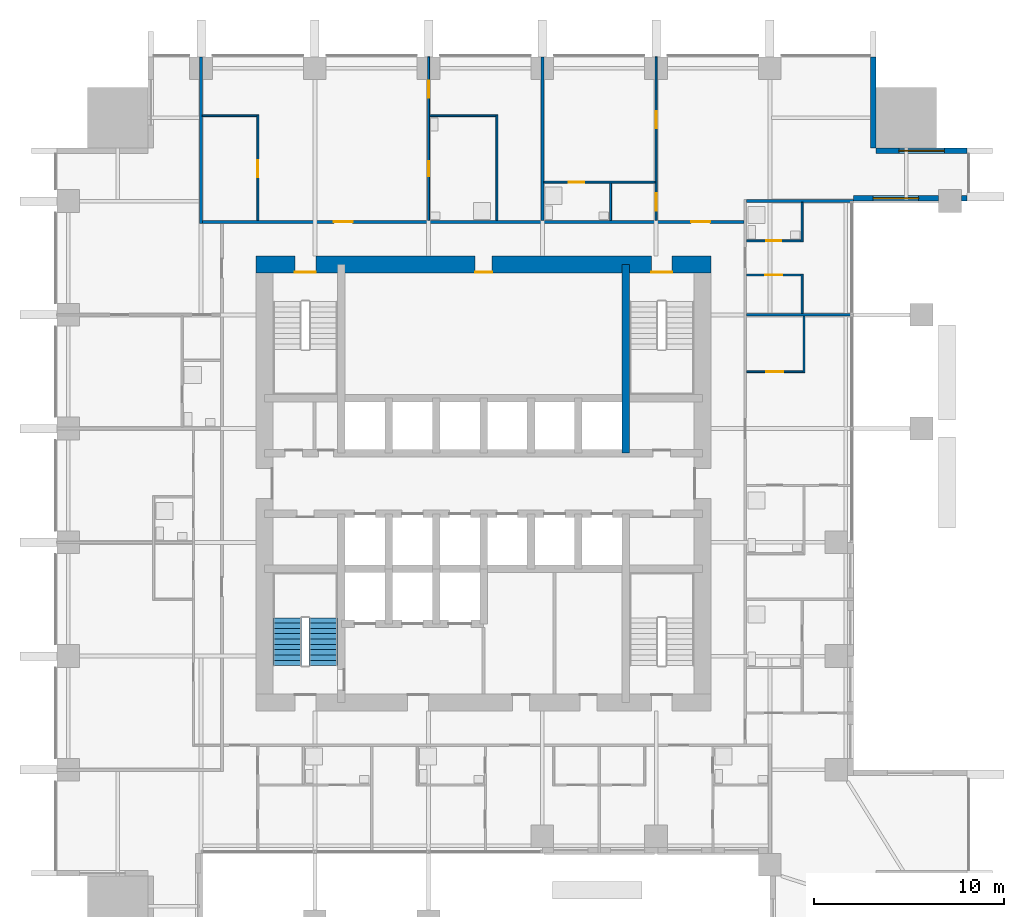
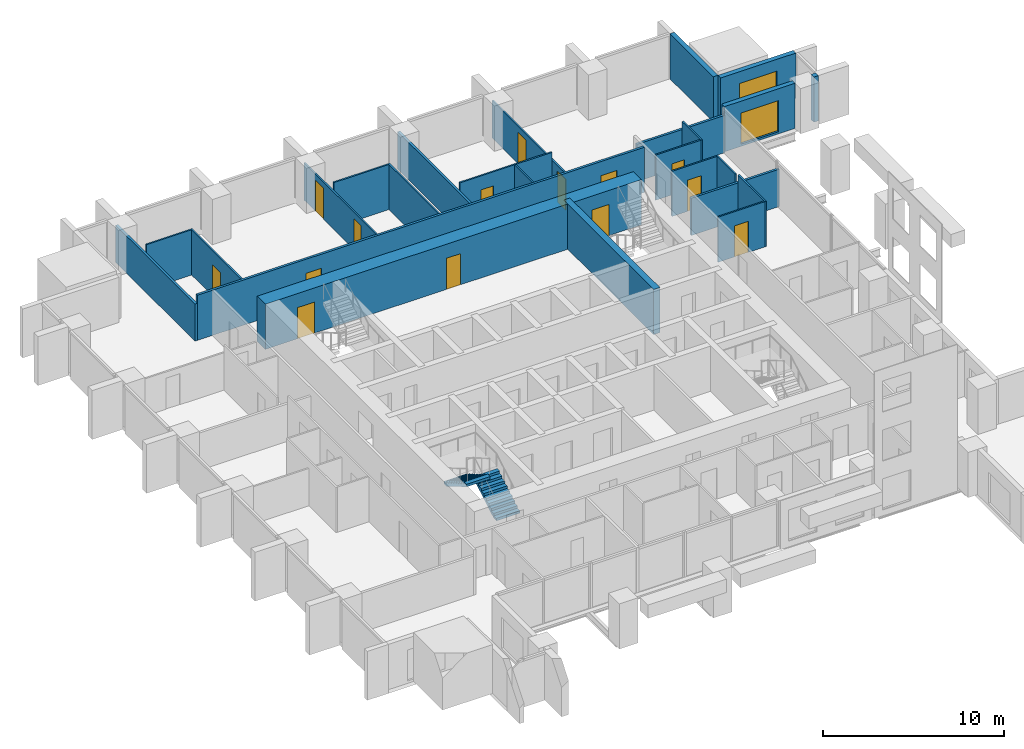
# One storey, part 10 of 13: 25 walls, 14 doors, 2 stair flights, 2 windows, 16 openings, 1 element without a shape of its own.
"""IFC4 building model written with IfcOpenShell, lengths in metres."""

from ifc_helpers import new_model, si_unit, direction, frame, frame_2d, origin, place, context, subcontext, project, spatial, polyline, rectangle, outline, extrude, material, layer, layer_set, type_object, element, fill, aggregate, save


model = new_model("IFC4")

# Units and contexts
model_context = context("Model", 3, precision=1e-05, world=origin(), true_north=direction((0.0, 1.0)))
body_context = subcontext(model_context, "Body", "Model", "MODEL_VIEW")
ifc_project = project(units=[si_unit("LENGTHUNIT", "METRE"), si_unit("AREAUNIT", "SQUARE_METRE"), si_unit("VOLUMEUNIT", "CUBIC_METRE"), si_unit("PLANEANGLEUNIT", "RADIAN"), si_unit("MASSUNIT", "GRAM", prefix="KILO")], contexts=[model_context])

# Site, building, storey
site_placement = place(None, origin())
site = spatial("IfcSite", under=ifc_project, at=site_placement, CompositionType="ELEMENT")
building_placement = place(site_placement, origin())
building = spatial("IfcBuilding", under=site, at=building_placement, Name="Amberfall Residences", CompositionType="ELEMENT")
storey_placement = place(building_placement, frame((0.0, 0.0, 56.5)))
storey = spatial("IfcBuildingStorey", under=building, at=storey_placement, Name="L15", CompositionType="ELEMENT", Elevation=56.5)

# Wall, opening, window
ifc_material_1 = material(Name="Pale stone cladding on insulated backing", Category="masonry")
ifc_layer_1 = layer(ifc_material_1, 0.300048828125)
ifc_layer_set_1 = layer_set([ifc_layer_1], Name="Bronze clad wall 300")
wall_type_1 = type_object("IfcWallType", Name="Bronze clad wall 300", PredefinedType="SOLIDWALL", material=ifc_layer_set_1)
wall_1_placement = place(storey_placement, frame((94.0, 60.550048828125, 0.0), z_axis=(0.0, 0.0, 1.0), x_axis=(1.0, 0.0, 0.0)))
wall_1 = element("IfcWall", 1, at=wall_1_placement, inside=storey, type_object=wall_type_1, Name="External wall L15 E", PredefinedType="SOLIDWALL", context=body_context, shape_type="SweptSolid", body=[
    extrude(rectangle(XDim=4.5, YDim=0.300048828125, at=frame_2d((2.25, 0.0))), origin(), (0.0, 0.0, 1.0), 3.050048828125),
])
opening_1_placement = place(wall_1_placement, frame((1.050048828125, 0.0, 0.14990234375)))
opening_1 = element("IfcOpeningElement", 2, at=opening_1_placement, cuts=wall_1, Name="Opening WN5", PredefinedType="OPENING", context=body_context, shape_type="SweptSolid", body=[
    extrude(rectangle(XDim=2.39990234375, YDim=2.10009765625, at=frame_2d((1.199951171875, 1.050048828125))), frame((0.0, 0.159912109375, 0.0), z_axis=(0.0, -1.0, 0.0), x_axis=(1.0, 0.0, 0.0)), (0.0, 0.0, 1.0), 0.320068359375),
])
ifc_material_2 = material(Name="Bronze aluminium framed glazing", Category="aluminium")
window_type = type_object("IfcWindowType", Name="Glazed opening 2400 x 2100 bronze", PartitioningType="DOUBLE_PANEL_VERTICAL", PredefinedType="WINDOW", material=ifc_material_2)
window_1_placement = place(opening_1_placement, origin())
window_1 = element("IfcWindow", 3, at=window_1_placement, inside=storey, type_object=window_type, Name="Window L15 E", OverallHeight=2.10009765625, OverallWidth=2.39990234375, PartitioningType="DOUBLE_PANEL_VERTICAL", PredefinedType="WINDOW", context=body_context, shape_type="SweptSolid", body=[
    extrude(rectangle(XDim=2.39990234375, YDim=2.10009765625, at=frame_2d((1.199951171875, 1.050048828125))), frame((0.0, 0.030029296875, 0.0), z_axis=(0.0, -1.0, 0.0), x_axis=(1.0, 0.0, 0.0)), (0.0, 0.0, 1.0), 0.06005859375),
])
fill(opening_1, window_1)

# Wall
wall_2_placement = place(storey_placement, frame((99.699951171875, 60.550048828125, 0.0), z_axis=(0.0, 0.0, 1.0), x_axis=(1.0, 0.0, 0.0)))
element("IfcWall", 4, at=wall_2_placement, inside=storey, type_object=wall_type_1, Name="External wall L15 E", PredefinedType="SOLIDWALL", context=body_context, shape_type="SweptSolid", body=[
    extrude(rectangle(XDim=0.300048828125, YDim=0.300048828125, at=frame_2d((0.14990234375, 0.0))), origin(), (0.0, 0.0, 1.0), 3.050048828125),
])

# Wall, opening, window
wall_3_placement = place(storey_placement, frame((100.0, 63.050048828125, 0.0), z_axis=(0.0, 0.0, 1.0), x_axis=(-1.0, 0.0, 0.0)))
wall_3 = element("IfcWall", 5, at=wall_3_placement, inside=storey, type_object=wall_type_1, Name="External wall L15 NE", PredefinedType="SOLIDWALL", context=body_context, shape_type="SweptSolid", body=[
    extrude(rectangle(XDim=4.800048828125, YDim=0.300048828125, at=frame_2d((2.39990234375, 0.0))), origin(), (0.0, 0.0, 1.0), 3.050048828125),
])
opening_2_placement = place(wall_3_placement, frame((1.199951171875, 0.0, 0.14990234375)))
opening_2 = element("IfcOpeningElement", 6, at=opening_2_placement, cuts=wall_3, Name="Opening WN5", PredefinedType="OPENING", context=body_context, shape_type="SweptSolid", body=[
    extrude(rectangle(XDim=2.39990234375, YDim=2.10009765625, at=frame_2d((1.199951171875, 1.050048828125))), frame((0.0, 0.159912109375, 0.0), z_axis=(0.0, -1.0, 0.0), x_axis=(1.0, 0.0, 0.0)), (0.0, 0.0, 1.0), 0.320068359375),
])
window_2_placement = place(opening_2_placement, origin())
window_2 = element("IfcWindow", 7, at=window_2_placement, inside=storey, type_object=window_type, Name="Window L15 NE", OverallHeight=2.10009765625, OverallWidth=2.39990234375, PartitioningType="DOUBLE_PANEL_VERTICAL", PredefinedType="WINDOW", context=body_context, shape_type="SweptSolid", body=[
    extrude(rectangle(XDim=2.39990234375, YDim=2.10009765625, at=frame_2d((1.199951171875, 1.050048828125))), frame((0.0, 0.030029296875, 0.0), z_axis=(0.0, -1.0, 0.0), x_axis=(1.0, 0.0, 0.0)), (0.0, 0.0, 1.0), 0.06005859375),
])
fill(opening_2, window_2)

# Walls
wall_4_placement = place(storey_placement, frame((95.050048828125, 63.199951171875, 0.0), z_axis=(0.0, 0.0, 1.0), x_axis=(0.0, 1.0, 0.0)))
element("IfcWall", 8, at=wall_4_placement, inside=storey, type_object=wall_type_1, Name="External wall L15 NE", PredefinedType="SOLIDWALL", context=body_context, shape_type="SweptSolid", body=[
    extrude(rectangle(XDim=4.800048828125, YDim=0.300048828125, at=frame_2d((2.39990234375, 0.0))), origin(), (0.0, 0.0, 1.0), 3.050048828125),
])
ifc_material_3 = material(Name="Concrete C80", Category="concrete")
ifc_layer_2 = layer(ifc_material_3, 0.39990234375)
ifc_layer_set_2 = layer_set([ifc_layer_2], Name="Core wall 400 C80")
wall_type_2 = type_object("IfcWallType", Name="Core wall 400 C80", PredefinedType="SHEAR", material=ifc_layer_set_2)
wall_5_placement = place(storey_placement, frame((82.0, 47.10009765625, 0.0), z_axis=(0.0, 0.0, 1.0), x_axis=(0.0, 1.0, 0.0)))
element("IfcWall", 9, at=wall_5_placement, inside=storey, type_object=wall_type_2, Name="Core wall RW2 L15 V195N", PredefinedType="SHEAR", context=body_context, shape_type="SweptSolid", body=[
    extrude(rectangle(XDim=9.949951171875, YDim=0.39990234375, at=frame_2d((4.97509765625, 0.0))), origin(), (0.0, 0.0, 1.0), 3.050048828125),
])

# Wall, openings, doors
ifc_layer_3 = layer(ifc_material_3, 0.89990234375)
ifc_layer_set_3 = layer_set([ifc_layer_3], Name="Core wall 900 C80")
wall_type_3 = type_object("IfcWallType", Name="Core wall 900 C80", PredefinedType="SHEAR", material=ifc_layer_set_3)
wall_6_placement = place(storey_placement, frame((62.5, 57.050048828125, 0.0), z_axis=(0.0, 0.0, 1.0), x_axis=(1.0, 0.0, 0.0)))
wall_6 = element("IfcWall", 10, at=wall_6_placement, inside=storey, type_object=wall_type_3, Name="Core wall RW1 L15 ON", PredefinedType="SHEAR", context=body_context, shape_type="SweptSolid", body=[
    extrude(rectangle(XDim=24.0, YDim=0.89990234375, at=frame_2d((12.0, 0.0))), origin(), (0.0, 0.0, 1.0), 3.050048828125),
])
opening_3_placement = place(wall_6_placement, frame((20.85009765625, 0.0, 0.0)))
opening_3 = element("IfcOpeningElement", 11, at=opening_3_placement, cuts=wall_6, Name="Opening SD1", PredefinedType="OPENING", context=body_context, shape_type="SweptSolid", body=[
    extrude(rectangle(XDim=1.10009765625, YDim=2.10009765625, at=frame_2d((0.550048828125, 1.050048828125))), frame((0.0, 0.4599609375, 0.0), z_axis=(0.0, -1.0, 0.0), x_axis=(1.0, 0.0, 0.0)), (0.0, 0.0, 1.0), 0.919921875),
])
opening_4_placement = place(wall_6_placement, frame((2.050048828125, 0.0, 0.0)))
opening_4 = element("IfcOpeningElement", 12, at=opening_4_placement, cuts=wall_6, Name="Opening SD1", PredefinedType="OPENING", context=body_context, shape_type="SweptSolid", body=[
    extrude(rectangle(XDim=1.10009765625, YDim=2.10009765625, at=frame_2d((0.550048828125, 1.050048828125))), frame((0.0, 0.4599609375, 0.0), z_axis=(0.0, -1.0, 0.0), x_axis=(1.0, 0.0, 0.0)), (0.0, 0.0, 1.0), 0.919921875),
])
opening_5_placement = place(wall_6_placement, frame((11.550048828125, 0.0, 0.0)))
opening_5 = element("IfcOpeningElement", 13, at=opening_5_placement, cuts=wall_6, Name="Opening RD1", PredefinedType="OPENING", context=body_context, shape_type="SweptSolid", body=[
    extrude(rectangle(XDim=0.89990234375, YDim=2.10009765625, at=frame_2d((0.449951171875, 1.050048828125))), frame((0.0, 0.4599609375, 0.0), z_axis=(0.0, -1.0, 0.0), x_axis=(1.0, 0.0, 0.0)), (0.0, 0.0, 1.0), 0.919921875),
])
ifc_material_4 = material(Name="Steel fire door set", Category="steel")
door_type_1 = type_object("IfcDoorType", Name="Service room door 900 x 2100", OperationType="SINGLE_SWING_LEFT", PredefinedType="DOOR", material=ifc_material_4)
door_1_placement = place(opening_5_placement, origin())
door_1 = element("IfcDoor", 14, at=door_1_placement, inside=storey, type_object=door_type_1, Name="RD1 L15", OperationType="SINGLE_SWING_RIGHT", OverallHeight=2.10009765625, OverallWidth=0.89990234375, PredefinedType="DOOR", context=body_context, shape_type="SweptSolid", body=[
    extrude(rectangle(XDim=0.89990234375, YDim=2.10009765625, at=frame_2d((0.449951171875, 1.050048828125))), frame((0.0, -0.3876953125, 0.0), z_axis=(0.0, -1.0, 0.0), x_axis=(1.0, 0.0, 0.0)), (0.0, 0.0, 1.0), 0.050048828125),
])
fill(opening_5, door_1)
door_type_2 = type_object("IfcDoorType", Name="Stair door 1100 x 2100", OperationType="SINGLE_SWING_LEFT", PredefinedType="DOOR", material=ifc_material_4)
door_2_placement = place(opening_3_placement, origin())
door_2 = element("IfcDoor", 15, at=door_2_placement, inside=storey, type_object=door_type_2, Name="SD1 L15", OperationType="SINGLE_SWING_RIGHT", OverallHeight=2.10009765625, OverallWidth=1.10009765625, PredefinedType="DOOR", context=body_context, shape_type="SweptSolid", body=[
    extrude(rectangle(XDim=1.10009765625, YDim=2.10009765625, at=frame_2d((0.550048828125, 1.050048828125))), frame((0.0, -0.3876953125, 0.0), z_axis=(0.0, -1.0, 0.0), x_axis=(1.0, 0.0, 0.0)), (0.0, 0.0, 1.0), 0.050048828125),
])
fill(opening_3, door_2)
door_3_placement = place(opening_4_placement, origin())
door_3 = element("IfcDoor", 16, at=door_3_placement, inside=storey, type_object=door_type_2, Name="SD1 L15", OperationType="SINGLE_SWING_LEFT", OverallHeight=2.10009765625, OverallWidth=1.10009765625, PredefinedType="DOOR", context=body_context, shape_type="SweptSolid", body=[
    extrude(rectangle(XDim=1.10009765625, YDim=2.10009765625, at=frame_2d((0.550048828125, 1.050048828125))), frame((0.0, -0.3876953125, 0.0), z_axis=(0.0, -1.0, 0.0), x_axis=(1.0, 0.0, 0.0)), (0.0, 0.0, 1.0), 0.050048828125),
])
fill(opening_4, door_3)

# Wall, opening, door
ifc_material_5 = material(Name="Gypsum board on metal stud")
ifc_layer_4 = layer(ifc_material_5, 0.10009765625)
ifc_layer_set_4 = layer_set([ifc_layer_4], Name="Flat partition 100")
wall_type_4 = type_object("IfcWallType", Name="Flat partition 100", PredefinedType="PARTITIONING", material=ifc_layer_set_4)
wall_7_placement = place(storey_placement, frame((62.60009765625, 59.375, 0.0), z_axis=(0.0, 0.0, 1.0), x_axis=(0.0, 1.0, 0.0)))
wall_7 = element("IfcWall", 17, at=wall_7_placement, inside=storey, type_object=wall_type_4, Name="Partition 005", PredefinedType="PARTITIONING", context=body_context, shape_type="SweptSolid", body=[
    extrude(rectangle(XDim=5.574951171875, YDim=0.10009765625, at=frame_2d((2.78759765625, 0.0))), origin(), (0.0, 0.0, 1.0), 3.050048828125),
])
opening_6_placement = place(wall_7_placement, frame((2.27490234375, 0.0, 0.0)))
opening_6 = element("IfcOpeningElement", 18, at=opening_6_placement, cuts=wall_7, Name="Opening D41", PredefinedType="OPENING", context=body_context, shape_type="SweptSolid", body=[
    extrude(rectangle(XDim=0.89990234375, YDim=2.10009765625, at=frame_2d((0.449951171875, 1.050048828125))), frame((0.0, 0.06005859375, 0.0), z_axis=(0.0, -1.0, 0.0), x_axis=(1.0, 0.0, 0.0)), (0.0, 0.0, 1.0), 0.1201171875),
])
ifc_material_6 = material(Name="Timber", Category="wood")
door_type_3 = type_object("IfcDoorType", Name="Internal door 900 x 2100", OperationType="SINGLE_SWING_LEFT", PredefinedType="DOOR", material=ifc_material_6)
door_4_placement = place(opening_6_placement, origin())
door_4 = element("IfcDoor", 19, at=door_4_placement, inside=storey, type_object=door_type_3, Name="Door 1507 kitchen", OperationType="SINGLE_SWING_LEFT", OverallHeight=2.10009765625, OverallWidth=0.89990234375, PredefinedType="DOOR", context=body_context, shape_type="SweptSolid", body=[
    extrude(rectangle(XDim=0.89990234375, YDim=2.10009765625, at=frame_2d((0.449951171875, 1.050048828125))), frame((0.0, 0.02490234375, 0.0), z_axis=(0.0, -1.0, 0.0), x_axis=(1.0, 0.0, 0.0)), (0.0, 0.0, 1.0), 0.050048828125),
])
fill(opening_6, door_4)

# Wall, openings, doors
wall_8_placement = place(storey_placement, frame((71.60009765625, 68.0, 0.0), z_axis=(0.0, 0.0, 1.0), x_axis=(0.0, -1.0, 0.0)))
wall_8 = element("IfcWall", 20, at=wall_8_placement, inside=storey, type_object=wall_type_4, Name="Partition 008", PredefinedType="PARTITIONING", context=body_context, shape_type="SweptSolid", body=[
    extrude(rectangle(XDim=8.625, YDim=0.10009765625, at=frame_2d((4.3125, 0.0))), origin(), (0.0, 0.0, 1.0), 2.51611328125),
])
opening_7_placement = place(wall_8_placement, frame((1.25, 0.0, 0.0)))
opening_7 = element("IfcOpeningElement", 21, at=opening_7_placement, cuts=wall_8, Name="Opening D41", PredefinedType="OPENING", context=body_context, shape_type="SweptSolid", body=[
    extrude(rectangle(XDim=0.89990234375, YDim=2.10009765625, at=frame_2d((0.449951171875, 1.050048828125))), frame((0.0, 0.06005859375, 0.0), z_axis=(0.0, -1.0, 0.0), x_axis=(1.0, 0.0, 0.0)), (0.0, 0.0, 1.0), 0.1201171875),
])
opening_8_placement = place(wall_8_placement, frame((5.5, 0.0, 0.0)))
opening_8 = element("IfcOpeningElement", 22, at=opening_8_placement, cuts=wall_8, Name="Opening D42", PredefinedType="OPENING", context=body_context, shape_type="SweptSolid", body=[
    extrude(rectangle(XDim=0.800048828125, YDim=2.10009765625, at=frame_2d((0.39990234375, 1.050048828125))), frame((0.0, 0.06005859375, 0.0), z_axis=(0.0, -1.0, 0.0), x_axis=(1.0, 0.0, 0.0)), (0.0, 0.0, 1.0), 0.1201171875),
])
door_type_4 = type_object("IfcDoorType", Name="Bathroom door 800 x 2100", OperationType="SINGLE_SWING_LEFT", PredefinedType="DOOR", material=ifc_material_6)
door_5_placement = place(opening_8_placement, origin())
door_5 = element("IfcDoor", 23, at=door_5_placement, inside=storey, type_object=door_type_4, Name="Door 1507 bath1", OperationType="SINGLE_SWING_LEFT", OverallHeight=2.10009765625, OverallWidth=0.800048828125, PredefinedType="DOOR", context=body_context, shape_type="SweptSolid", body=[
    extrude(rectangle(XDim=0.800048828125, YDim=2.10009765625, at=frame_2d((0.39990234375, 1.050048828125))), frame((0.0, 0.02490234375, 0.0), z_axis=(0.0, -1.0, 0.0), x_axis=(1.0, 0.0, 0.0)), (0.0, 0.0, 1.0), 0.050048828125),
])
fill(opening_8, door_5)
door_6_placement = place(opening_7_placement, origin())
door_6 = element("IfcDoor", 24, at=door_6_placement, inside=storey, type_object=door_type_3, Name="Door 1507 bedroom1", OperationType="SINGLE_SWING_LEFT", OverallHeight=2.10009765625, OverallWidth=0.89990234375, PredefinedType="DOOR", context=body_context, shape_type="SweptSolid", body=[
    extrude(rectangle(XDim=0.89990234375, YDim=2.10009765625, at=frame_2d((0.449951171875, 1.050048828125))), frame((0.0, 0.02490234375, 0.0), z_axis=(0.0, -1.0, 0.0), x_axis=(1.0, 0.0, 0.0)), (0.0, 0.0, 1.0), 0.050048828125),
])
fill(opening_7, door_6)

# Walls
wall_9_placement = place(storey_placement, frame((75.199951171875, 59.375, 0.0), z_axis=(0.0, 0.0, 1.0), x_axis=(0.0, 1.0, 0.0)))
element("IfcWall", 25, at=wall_9_placement, inside=storey, type_object=wall_type_4, Name="Partition 010", PredefinedType="PARTITIONING", context=body_context, shape_type="SweptSolid", body=[
    extrude(rectangle(XDim=5.574951171875, YDim=0.10009765625, at=frame_2d((2.78759765625, 0.0))), origin(), (0.0, 0.0, 1.0), 3.050048828125),
])
wall_10_placement = place(storey_placement, frame((81.199951171875, 59.375, 0.0), z_axis=(0.0, 0.0, 1.0), x_axis=(0.0, 1.0, 0.0)))
element("IfcWall", 26, at=wall_10_placement, inside=storey, type_object=wall_type_4, Name="Partition 012", PredefinedType="PARTITIONING", context=body_context, shape_type="SweptSolid", body=[
    extrude(rectangle(XDim=1.97509765625, YDim=0.10009765625, at=frame_2d((0.987548828125, 0.0))), origin(), (0.0, 0.0, 1.0), 3.050048828125),
])

# Wall, openings, doors
wall_11_placement = place(storey_placement, frame((83.60009765625, 59.375, 0.0), z_axis=(0.0, 0.0, 1.0), x_axis=(0.0, 1.0, 0.0)))
wall_11 = element("IfcWall", 27, at=wall_11_placement, inside=storey, type_object=wall_type_4, Name="Partition 014", PredefinedType="PARTITIONING", context=body_context, shape_type="SweptSolid", body=[
    extrude(rectangle(XDim=8.625, YDim=0.10009765625, at=frame_2d((4.3125, 0.0))), origin(), (0.0, 0.0, 1.0), 2.51611328125),
])
opening_9_placement = place(wall_11_placement, frame((0.52490234375, 0.0, 0.0)))
opening_9 = element("IfcOpeningElement", 28, at=opening_9_placement, cuts=wall_11, Name="Opening D41", PredefinedType="OPENING", context=body_context, shape_type="SweptSolid", body=[
    extrude(rectangle(XDim=0.89990234375, YDim=2.10009765625, at=frame_2d((0.449951171875, 1.050048828125))), frame((0.0, 0.06005859375, 0.0), z_axis=(0.0, -1.0, 0.0), x_axis=(1.0, 0.0, 0.0)), (0.0, 0.0, 1.0), 0.1201171875),
])
opening_10_placement = place(wall_11_placement, frame((4.875, 0.0, 0.0)))
opening_10 = element("IfcOpeningElement", 29, at=opening_10_placement, cuts=wall_11, Name="Opening D41", PredefinedType="OPENING", context=body_context, shape_type="SweptSolid", body=[
    extrude(rectangle(XDim=0.89990234375, YDim=2.10009765625, at=frame_2d((0.449951171875, 1.050048828125))), frame((0.0, 0.06005859375, 0.0), z_axis=(0.0, -1.0, 0.0), x_axis=(1.0, 0.0, 0.0)), (0.0, 0.0, 1.0), 0.1201171875),
])
door_7_placement = place(opening_9_placement, origin())
door_7 = element("IfcDoor", 30, at=door_7_placement, inside=storey, type_object=door_type_3, Name="Door 1508 kitchen", OperationType="SINGLE_SWING_LEFT", OverallHeight=2.10009765625, OverallWidth=0.89990234375, PredefinedType="DOOR", context=body_context, shape_type="SweptSolid", body=[
    extrude(rectangle(XDim=0.89990234375, YDim=2.10009765625, at=frame_2d((0.449951171875, 1.050048828125))), frame((0.0, 0.02490234375, 0.0), z_axis=(0.0, -1.0, 0.0), x_axis=(1.0, 0.0, 0.0)), (0.0, 0.0, 1.0), 0.050048828125),
])
fill(opening_9, door_7)
door_8_placement = place(opening_10_placement, origin())
door_8 = element("IfcDoor", 31, at=door_8_placement, inside=storey, type_object=door_type_3, Name="Door 1508 bedroom1", OperationType="SINGLE_SWING_LEFT", OverallHeight=2.10009765625, OverallWidth=0.89990234375, PredefinedType="DOOR", context=body_context, shape_type="SweptSolid", body=[
    extrude(rectangle(XDim=0.89990234375, YDim=2.10009765625, at=frame_2d((0.449951171875, 1.050048828125))), frame((0.0, 0.02490234375, 0.0), z_axis=(0.0, -1.0, 0.0), x_axis=(1.0, 0.0, 0.0)), (0.0, 0.0, 1.0), 0.050048828125),
])
fill(opening_10, door_8)

# Walls
for number, where, z_axis, x_axis, name in (
    (32, (91.300048828125, 54.47509765625, 0.0), (0.0, 0.0, 1.0), (0.0, 1.0, 0.0), "Partition 017"),
    (33, (91.300048828125, 58.25, 0.0), (0.0, 0.0, 1.0), (0.0, 1.0, 0.0), "Partition 018"),
):
    element("IfcWall", number, at=place(storey_placement, frame(where, z_axis=z_axis, x_axis=x_axis)), inside=storey, type_object=wall_type_4, Name=name, PredefinedType="PARTITIONING", context=body_context, shape_type="SweptSolid", body=[
        extrude(rectangle(XDim=2.074951171875, YDim=0.10009765625, at=frame_2d((1.03759765625, 0.0))), origin(), (0.0, 0.0, 1.0), 3.050048828125),
    ])
wall_12_placement = place(storey_placement, frame((91.39990234375, 51.35009765625, 0.0), z_axis=(0.0, 0.0, 1.0), x_axis=(0.0, 1.0, 0.0)))
element("IfcWall", 34, at=wall_12_placement, inside=storey, type_object=wall_type_4, Name="Partition 020", PredefinedType="PARTITIONING", context=body_context, shape_type="SweptSolid", body=[
    extrude(rectangle(XDim=2.974853515625, YDim=0.10009765625, at=frame_2d((1.4873046875, 0.0))), origin(), (0.0, 0.0, 1.0), 3.050048828125),
])
wall_13_placement = place(storey_placement, frame((59.675048828125, 64.89990234375, 0.0), z_axis=(0.0, 0.0, 1.0), x_axis=(1.0, 0.0, 0.0)))
element("IfcWall", 35, at=wall_13_placement, inside=storey, type_object=wall_type_4, Name="Partition 021", PredefinedType="PARTITIONING", context=body_context, shape_type="SweptSolid", body=[
    extrude(rectangle(XDim=2.875, YDim=0.10009765625, at=frame_2d((1.4375, 0.0))), origin(), (0.0, 0.0, 1.0), 3.050048828125),
])
wall_14_placement = place(storey_placement, frame((71.64990234375, 64.89990234375, 0.0), z_axis=(0.0, 0.0, 1.0), x_axis=(1.0, 0.0, 0.0)))
element("IfcWall", 36, at=wall_14_placement, inside=storey, type_object=wall_type_4, Name="Partition 022", PredefinedType="PARTITIONING", context=body_context, shape_type="SweptSolid", body=[
    extrude(rectangle(XDim=3.5, YDim=0.10009765625, at=frame_2d((1.75, 0.0))), origin(), (0.0, 0.0, 1.0), 3.050048828125),
])

# Wall, opening, door
wall_15_placement = place(storey_placement, frame((83.550048828125, 61.39990234375, 0.0), z_axis=(0.0, 0.0, 1.0), x_axis=(-1.0, 0.0, 0.0)))
wall_15 = element("IfcWall", 37, at=wall_15_placement, inside=storey, type_object=wall_type_4, Name="Partition 023", PredefinedType="PARTITIONING", context=body_context, shape_type="SweptSolid", body=[
    extrude(rectangle(XDim=5.875, YDim=0.10009765625, at=frame_2d((2.9375, 0.0))), origin(), (0.0, 0.0, 1.0), 3.050048828125),
])
opening_11_placement = place(wall_15_placement, frame((3.75, 0.0, 0.0)))
opening_11 = element("IfcOpeningElement", 38, at=opening_11_placement, cuts=wall_15, Name="Opening D42", PredefinedType="OPENING", context=body_context, shape_type="SweptSolid", body=[
    extrude(rectangle(XDim=0.800048828125, YDim=2.10009765625, at=frame_2d((0.39990234375, 1.050048828125))), frame((0.0, 0.06005859375, 0.0), z_axis=(0.0, -1.0, 0.0), x_axis=(1.0, 0.0, 0.0)), (0.0, 0.0, 1.0), 0.1201171875),
])
door_9_placement = place(opening_11_placement, origin())
door_9 = element("IfcDoor", 39, at=door_9_placement, inside=storey, type_object=door_type_4, Name="Door 1508 bath1", OperationType="SINGLE_SWING_LEFT", OverallHeight=2.10009765625, OverallWidth=0.800048828125, PredefinedType="DOOR", context=body_context, shape_type="SweptSolid", body=[
    extrude(rectangle(XDim=0.800048828125, YDim=2.10009765625, at=frame_2d((0.39990234375, 1.050048828125))), frame((0.0, 0.02490234375, 0.0), z_axis=(0.0, -1.0, 0.0), x_axis=(1.0, 0.0, 0.0)), (0.0, 0.0, 1.0), 0.050048828125),
])
fill(opening_11, door_9)

wall_16_placement = place(storey_placement, frame((88.375, 58.300048828125, 0.0), z_axis=(0.0, 0.0, 1.0), x_axis=(1.0, 0.0, 0.0)))
wall_16 = element("IfcWall", 40, at=wall_16_placement, inside=storey, type_object=wall_type_4, Name="Partition 024", PredefinedType="PARTITIONING", context=body_context, shape_type="SweptSolid", body=[
    extrude(rectangle(XDim=2.875, YDim=0.10009765625, at=frame_2d((1.4375, 0.0))), origin(), (0.0, 0.0, 1.0), 3.050048828125),
])
opening_12_placement = place(wall_16_placement, frame((1.02490234375, 0.0, 0.0)))
opening_12 = element("IfcOpeningElement", 41, at=opening_12_placement, cuts=wall_16, Name="Opening D42", PredefinedType="OPENING", context=body_context, shape_type="SweptSolid", body=[
    extrude(rectangle(XDim=0.800048828125, YDim=2.10009765625, at=frame_2d((0.39990234375, 1.050048828125))), frame((0.0, 0.06005859375, 0.0), z_axis=(0.0, -1.0, 0.0), x_axis=(1.0, 0.0, 0.0)), (0.0, 0.0, 1.0), 0.1201171875),
])
door_10_placement = place(opening_12_placement, origin())
door_10 = element("IfcDoor", 42, at=door_10_placement, inside=storey, type_object=door_type_4, Name="Door 1506 bath1", OperationType="SINGLE_SWING_LEFT", OverallHeight=2.10009765625, OverallWidth=0.800048828125, PredefinedType="DOOR", context=body_context, shape_type="SweptSolid", body=[
    extrude(rectangle(XDim=0.800048828125, YDim=2.10009765625, at=frame_2d((0.39990234375, 1.050048828125))), frame((0.0, 0.02490234375, 0.0), z_axis=(0.0, -1.0, 0.0), x_axis=(1.0, 0.0, 0.0)), (0.0, 0.0, 1.0), 0.050048828125),
])
fill(opening_12, door_10)

wall_17_placement = place(storey_placement, frame((91.25, 56.5, 0.0), z_axis=(0.0, 0.0, 1.0), x_axis=(-1.0, 0.0, 0.0)))
wall_17 = element("IfcWall", 43, at=wall_17_placement, inside=storey, type_object=wall_type_4, Name="Partition 025", PredefinedType="PARTITIONING", context=body_context, shape_type="SweptSolid", body=[
    extrude(rectangle(XDim=2.875, YDim=0.10009765625, at=frame_2d((1.4375, 0.0))), origin(), (0.0, 0.0, 1.0), 3.050048828125),
])
opening_13_placement = place(wall_17_placement, frame((1.0, 0.0, 0.0)))
opening_13 = element("IfcOpeningElement", 44, at=opening_13_placement, cuts=wall_17, Name="Opening D41", PredefinedType="OPENING", context=body_context, shape_type="SweptSolid", body=[
    extrude(rectangle(XDim=0.89990234375, YDim=2.10009765625, at=frame_2d((0.449951171875, 1.050048828125))), frame((0.0, 0.06005859375, 0.0), z_axis=(0.0, -1.0, 0.0), x_axis=(1.0, 0.0, 0.0)), (0.0, 0.0, 1.0), 0.1201171875),
])
door_11_placement = place(opening_13_placement, origin())
door_11 = element("IfcDoor", 45, at=door_11_placement, inside=storey, type_object=door_type_3, Name="Door 1506 kitchen", OperationType="SINGLE_SWING_LEFT", OverallHeight=2.10009765625, OverallWidth=0.89990234375, PredefinedType="DOOR", context=body_context, shape_type="SweptSolid", body=[
    extrude(rectangle(XDim=0.89990234375, YDim=2.10009765625, at=frame_2d((0.449951171875, 1.050048828125))), frame((0.0, 0.02490234375, 0.0), z_axis=(0.0, -1.0, 0.0), x_axis=(1.0, 0.0, 0.0)), (0.0, 0.0, 1.0), 0.050048828125),
])
fill(opening_13, door_11)

wall_18_placement = place(storey_placement, frame((88.375, 51.39990234375, 0.0), z_axis=(0.0, 0.0, 1.0), x_axis=(1.0, 0.0, 0.0)))
wall_18 = element("IfcWall", 46, at=wall_18_placement, inside=storey, type_object=wall_type_4, Name="Partition 028", PredefinedType="PARTITIONING", context=body_context, shape_type="SweptSolid", body=[
    extrude(rectangle(XDim=2.97509765625, YDim=0.10009765625, at=frame_2d((1.487548828125, 0.0))), origin(), (0.0, 0.0, 1.0), 3.050048828125),
])
opening_14_placement = place(wall_18_placement, frame((1.02490234375, 0.0, 0.0)))
opening_14 = element("IfcOpeningElement", 47, at=opening_14_placement, cuts=wall_18, Name="Opening D41", PredefinedType="OPENING", context=body_context, shape_type="SweptSolid", body=[
    extrude(rectangle(XDim=0.89990234375, YDim=2.10009765625, at=frame_2d((0.449951171875, 1.050048828125))), frame((0.0, 0.06005859375, 0.0), z_axis=(0.0, -1.0, 0.0), x_axis=(1.0, 0.0, 0.0)), (0.0, 0.0, 1.0), 0.1201171875),
])
door_12_placement = place(opening_14_placement, origin())
door_12 = element("IfcDoor", 48, at=door_12_placement, inside=storey, type_object=door_type_3, Name="Door 1505 kitchen", OperationType="SINGLE_SWING_LEFT", OverallHeight=2.10009765625, OverallWidth=0.89990234375, PredefinedType="DOOR", context=body_context, shape_type="SweptSolid", body=[
    extrude(rectangle(XDim=0.89990234375, YDim=2.10009765625, at=frame_2d((0.449951171875, 1.050048828125))), frame((0.0, 0.02490234375, 0.0), z_axis=(0.0, -1.0, 0.0), x_axis=(1.0, 0.0, 0.0)), (0.0, 0.0, 1.0), 0.050048828125),
])
fill(opening_14, door_12)

# Walls
ifc_material_7 = material(Name="Blockwork, plastered", Category="masonry")
ifc_layer_5 = layer(ifc_material_7, 0.14990234375)
ifc_layer_set_5 = layer_set([ifc_layer_5], Name="Flat separating wall 150")
wall_type_5 = type_object("IfcWallType", Name="Flat separating wall 150", PredefinedType="PARTITIONING", material=ifc_layer_set_5)
wall_19_placement = place(storey_placement, frame((59.60009765625, 59.22509765625, 0.0), z_axis=(0.0, 0.0, 1.0), x_axis=(0.0, 1.0, 0.0)))
element("IfcWall", 49, at=wall_19_placement, inside=storey, type_object=wall_type_5, Name="Separating wall 041", PredefinedType="PARTITIONING", context=body_context, shape_type="SweptSolid", body=[
    extrude(rectangle(XDim=8.77490234375, YDim=0.14990234375, at=frame_2d((4.387451171875, 0.0))), origin(), (0.0, 0.0, 1.0), 2.510009765625),
])
wall_20_placement = place(storey_placement, frame((77.60009765625, 59.375, 0.0), z_axis=(0.0, 0.0, 1.0), x_axis=(0.0, 1.0, 0.0)))
element("IfcWall", 50, at=wall_20_placement, inside=storey, type_object=wall_type_5, Name="Separating wall 044", PredefinedType="PARTITIONING", context=body_context, shape_type="SweptSolid", body=[
    extrude(rectangle(XDim=8.625, YDim=0.14990234375, at=frame_2d((4.3125, 0.0))), origin(), (0.0, 0.0, 1.0), 2.51611328125),
])
wall_21_placement = place(storey_placement, frame((88.375, 60.39990234375, 0.0), z_axis=(0.0, 0.0, 1.0), x_axis=(1.0, 0.0, 0.0)))
element("IfcWall", 51, at=wall_21_placement, inside=storey, type_object=wall_type_5, Name="Separating wall 048", PredefinedType="PARTITIONING", context=body_context, shape_type="SweptSolid", body=[
    extrude(rectangle(XDim=5.625, YDim=0.14990234375, at=frame_2d((2.8125, 0.0))), origin(), (0.0, 0.0, 1.0), 2.51611328125),
])

# Wall, openings, doors
wall_22_placement = place(storey_placement, frame((59.675048828125, 59.300048828125, 0.0), z_axis=(0.0, 0.0, 1.0), x_axis=(1.0, 0.0, 0.0)))
wall_22 = element("IfcWall", 52, at=wall_22_placement, inside=storey, type_object=wall_type_5, Name="Separating wall 049", PredefinedType="PARTITIONING", context=body_context, shape_type="SweptSolid", body=[
    extrude(rectangle(XDim=28.550048828125, YDim=0.14990234375, at=frame_2d((14.27490234375, 0.0))), origin(), (0.0, 0.0, 1.0), 3.050048828125),
])
opening_15_placement = place(wall_22_placement, frame((6.925048828125, 0.0, 0.0)))
opening_15 = element("IfcOpeningElement", 53, at=opening_15_placement, cuts=wall_22, Name="Opening D40", PredefinedType="OPENING", context=body_context, shape_type="SweptSolid", body=[
    extrude(rectangle(XDim=1.0, YDim=2.10009765625, at=frame_2d((0.5, 1.050048828125))), frame((0.0, 0.0849609375, 0.0), z_axis=(0.0, -1.0, 0.0), x_axis=(1.0, 0.0, 0.0)), (0.0, 0.0, 1.0), 0.169921875),
])
opening_16_placement = place(wall_22_placement, frame((25.77490234375, 0.0, 0.0)))
opening_16 = element("IfcOpeningElement", 54, at=opening_16_placement, cuts=wall_22, Name="Opening D40", PredefinedType="OPENING", context=body_context, shape_type="SweptSolid", body=[
    extrude(rectangle(XDim=1.0, YDim=2.10009765625, at=frame_2d((0.5, 1.050048828125))), frame((0.0, 0.0849609375, 0.0), z_axis=(0.0, -1.0, 0.0), x_axis=(1.0, 0.0, 0.0)), (0.0, 0.0, 1.0), 0.169921875),
])
ifc_material_8 = material(Name="Timber, fire-rated", Category="wood")
door_type_5 = type_object("IfcDoorType", Name="Flat entrance door FD60 1000 x 2100", OperationType="SINGLE_SWING_LEFT", PredefinedType="DOOR", material=ifc_material_8)
door_13_placement = place(opening_15_placement, origin())
door_13 = element("IfcDoor", 55, at=door_13_placement, inside=storey, type_object=door_type_5, Name="Door 1507 entrance", OperationType="SINGLE_SWING_LEFT", OverallHeight=2.10009765625, OverallWidth=1.0, PredefinedType="DOOR", context=body_context, shape_type="SweptSolid", body=[
    extrude(rectangle(XDim=1.0, YDim=2.10009765625, at=frame_2d((0.5, 1.050048828125))), frame((0.0, 0.02490234375, 0.0), z_axis=(0.0, -1.0, 0.0), x_axis=(1.0, 0.0, 0.0)), (0.0, 0.0, 1.0), 0.050048828125),
])
fill(opening_15, door_13)
door_14_placement = place(opening_16_placement, origin())
door_14 = element("IfcDoor", 56, at=door_14_placement, inside=storey, type_object=door_type_5, Name="Door 1508 entrance", OperationType="SINGLE_SWING_LEFT", OverallHeight=2.10009765625, OverallWidth=1.0, PredefinedType="DOOR", context=body_context, shape_type="SweptSolid", body=[
    extrude(rectangle(XDim=1.0, YDim=2.10009765625, at=frame_2d((0.5, 1.050048828125))), frame((0.0, 0.02490234375, 0.0), z_axis=(0.0, -1.0, 0.0), x_axis=(1.0, 0.0, 0.0)), (0.0, 0.0, 1.0), 0.050048828125),
])
fill(opening_16, door_14)

# Wall
wall_23_placement = place(storey_placement, frame((88.375, 54.39990234375, 0.0), z_axis=(0.0, 0.0, 1.0), x_axis=(1.0, 0.0, 0.0)))
element("IfcWall", 57, at=wall_23_placement, inside=storey, type_object=wall_type_5, Name="Separating wall 050", PredefinedType="PARTITIONING", context=body_context, shape_type="SweptSolid", body=[
    extrude(rectangle(XDim=5.625, YDim=0.14990234375, at=frame_2d((2.8125, 0.0))), origin(), (0.0, 0.0, 1.0), 2.51611328125),
])

# Stair, stair flights
ifc_material_9 = material(Name="Concrete C40", Category="concrete")
stair_type = type_object("IfcStairType", Name="Exit stair 20 risers 165.0 mm", PredefinedType="HALF_TURN_STAIR", material=ifc_material_9)
stair_placement = place(storey_placement, origin())
stair = element("IfcStair", 58, at=stair_placement, inside=storey, type_object=stair_type, Name="L15 Exit stair 1", PredefinedType="HALF_TURN_STAIR")
stair_flight_type = type_object("IfcStairFlightType", Name="Stair flight 10 risers 165.0 mm", PredefinedType="STRAIGHT", material=ifc_material_9)
stair_flight_1_placement = place(storey_placement, frame((66.050048828125, 35.89990234375, 0.0), z_axis=(0.0, 0.0, 1.0), x_axis=(0.0, 1.0, 0.0)))
stair_flight_1 = element("IfcStairFlight", 59, at=stair_flight_1_placement, type_object=stair_flight_type, Name="ST3 flight 1", NumberOfRisers=10, NumberOfTreads=9, PredefinedType="STRAIGHT", RiserHeight=0.165, TreadLength=0.28, context=body_context, shape_type="SweptSolid", body=[
    extrude(outline(polyline([(0.0, 0.0), (0.0, 0.1650390625), (0.280029296875, 0.1650390625), (0.280029296875, 0.330078125), (0.56005859375, 0.330078125), (0.56005859375, 0.4951171875), (0.840087890625, 0.4951171875), (0.840087890625, 0.659912109375), (1.1201171875, 0.659912109375), (1.1201171875, 0.824951171875), (1.39990234375, 0.824951171875), (1.39990234375, 0.989990234375), (1.679931640625, 0.989990234375), (1.679931640625, 1.155029296875), (1.9599609375, 1.155029296875), (1.9599609375, 1.320068359375), (2.239990234375, 1.320068359375), (2.239990234375, 1.485107421875), (2.52001953125, 1.485107421875), (2.52001953125, 1.64990234375), (2.52001953125, 1.31103515625), (0.295166015625, 0.0), (0.0, 0.0)])), frame((0.0, 0.75, 0.0), z_axis=(0.0, -1.0, 0.0), x_axis=(1.0, 0.0, 0.0)), (0.0, 0.0, 1.0), 1.5),
])
stair_flight_2_placement = place(storey_placement, frame((64.14990234375, 38.419921875, 1.64990234375), z_axis=(0.0, 0.0, 1.0), x_axis=(0.0, -1.0, 0.0)))
stair_flight_2 = element("IfcStairFlight", 60, at=stair_flight_2_placement, type_object=stair_flight_type, Name="ST3 flight 2", NumberOfRisers=10, NumberOfTreads=9, PredefinedType="STRAIGHT", RiserHeight=0.165, TreadLength=0.28, context=body_context, shape_type="SweptSolid", body=[
    extrude(outline(polyline([(0.0, 0.0), (0.0, 0.1650390625), (0.280029296875, 0.1650390625), (0.280029296875, 0.330078125), (0.56005859375, 0.330078125), (0.56005859375, 0.4951171875), (0.840087890625, 0.4951171875), (0.840087890625, 0.659912109375), (1.1201171875, 0.659912109375), (1.1201171875, 0.824951171875), (1.39990234375, 0.824951171875), (1.39990234375, 0.989990234375), (1.679931640625, 0.989990234375), (1.679931640625, 1.155029296875), (1.9599609375, 1.155029296875), (1.9599609375, 1.320068359375), (2.239990234375, 1.320068359375), (2.239990234375, 1.485107421875), (2.52001953125, 1.485107421875), (2.52001953125, 1.64990234375), (2.52001953125, 1.31103515625), (0.295166015625, 0.0), (0.0, 0.0)])), frame((0.0, 0.75, 0.0), z_axis=(0.0, -1.0, 0.0), x_axis=(1.0, 0.0, 0.0)), (0.0, 0.0, 1.0), 1.5),
])
aggregate(stair, [stair_flight_1, stair_flight_2])

save(model, "model.ifc")
